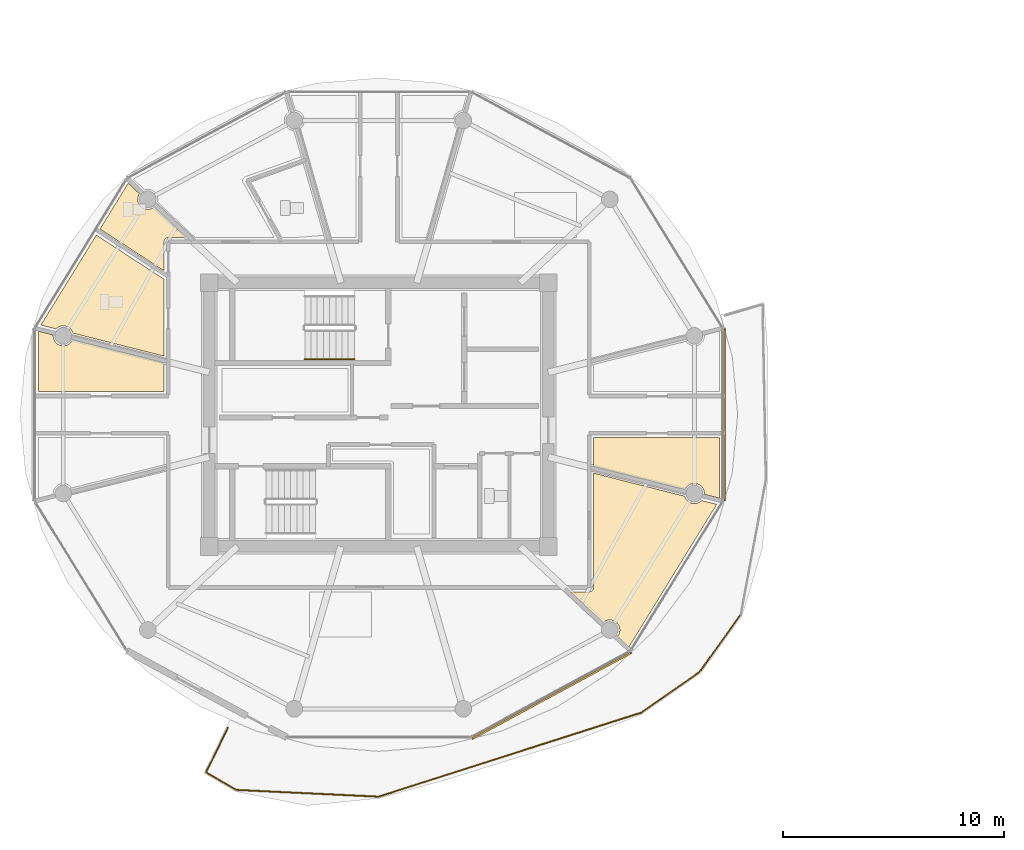
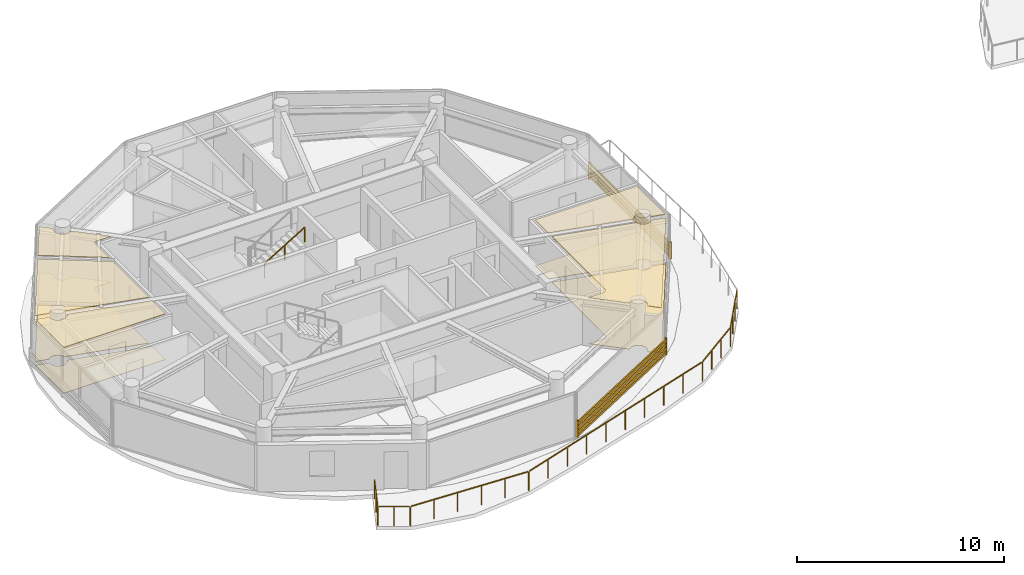
# One storey, part 16 of 21: 10 coverings, 2 railings, 2 shading devices.
"""IFC4 building model written with IfcOpenShell, lengths in metres."""

from ifc_helpers import new_model, si_unit, direction, frame, origin, origin_2d, place, context, subcontext, project, spatial, polyline, rectangle, outline, extrude, source, transform, mapped, material, layer, layer_set, type_object, type_shapes, element, save


model = new_model("IFC4")

# Units and contexts
model_context = context("Model", 3, precision=1e-05, world=origin(), true_north=direction((0.0, 1.0)))
body_context = subcontext(model_context, "Body", "Model", "MODEL_VIEW")
ifc_project = project(units=[si_unit("LENGTHUNIT", "METRE"), si_unit("AREAUNIT", "SQUARE_METRE"), si_unit("VOLUMEUNIT", "CUBIC_METRE"), si_unit("PLANEANGLEUNIT", "RADIAN"), si_unit("MASSUNIT", "GRAM", prefix="KILO")], contexts=[model_context])

# Site, building, storey
site_placement = place(None, origin())
site = spatial("IfcSite", under=ifc_project, at=site_placement, CompositionType="ELEMENT")
building_placement = place(site_placement, origin())
building = spatial("IfcBuilding", under=site, at=building_placement, Name="Norrkilde Senior Care Towers", CompositionType="ELEMENT")
storey_placement = place(building_placement, frame((0.0, 0.0, 241.35009765625)))
storey = spatial("IfcBuildingStorey", under=building, at=storey_placement, Name="L75", CompositionType="ELEMENT", Elevation=241.35009765625)

# Coverings
ifc_material_1 = material(Name="Nordic Ash Timber", Category="wood")
ifc_layer_1 = layer(ifc_material_1, 0.044921875)
ifc_layer_set_1 = layer_set([ifc_layer_1], Name="Nordic Ash Timber")
covering_type_1 = type_object("IfcCoveringType", Name="Acoustic Ash Timber Slatted Ceiling 45", PredefinedType="CEILING", material=ifc_layer_set_1)
covering_1_placement = place(storey_placement, frame((0.0, 0.0, 2.684814453125)))
element("IfcCovering", 1, at=covering_1_placement, inside=storey, type_object=covering_type_1, Name="L75 Suspended Ceiling 0467", PredefinedType="CEILING", context=body_context, shape_type="SweptSolid", body=[
    extrude(outline(polyline([(-37.699951171875, 1.0400390625), (-43.37353515625, 1.0400390625), (-43.37353515625, 3.76708984375), (-42.697509765625, 3.59619140625), (-42.702392578125, 3.558837890625), (-42.68701171875, 3.44091796875), (-42.641357421875, 3.331298828125), (-42.569091796875, 3.237060546875), (-42.474853515625, 3.164794921875), (-42.365234375, 3.119384765625), (-42.247314453125, 3.103759765625), (-42.129638671875, 3.119384765625), (-42.02001953125, 3.164794921875), (-41.92578125, 3.237060546875), (-41.853271484375, 3.331298828125), (-41.834228515625, 3.377685546875), (-37.699951171875, 2.331298828125), (-37.699951171875, 1.0400390625)])), origin(), (0.0, 0.0, 1.0), 0.045166015625),
])
covering_2_placement = place(storey_placement, frame((0.0, 0.0, 2.684814453125)))
element("IfcCovering", 2, at=covering_2_placement, inside=storey, type_object=covering_type_1, Name="L75 Suspended Ceiling 0470", PredefinedType="CEILING", context=body_context, shape_type="SweptSolid", body=[
    extrude(outline(polyline([(-12.62646484375, -3.76708984375), (-13.302490234375, -3.59619140625), (-13.297607421875, -3.558837890625), (-13.31298828125, -3.44091796875), (-13.358642578125, -3.331298828125), (-13.430908203125, -3.237060546875), (-13.525146484375, -3.164794921875), (-13.634765625, -3.119384765625), (-13.752685546875, -3.103759765625), (-13.870361328125, -3.119384765625), (-13.97998046875, -3.164794921875), (-14.07421875, -3.237060546875), (-14.146728515625, -3.331298828125), (-14.165771484375, -3.377685546875), (-18.300048828125, -2.331298828125), (-18.300048828125, -1.0400390625), (-12.62646484375, -1.0400390625), (-12.62646484375, -3.76708984375)])), origin(), (0.0, 0.0, 1.0), 0.045166015625),
])
covering_3_placement = place(storey_placement, frame((0.0, 0.0, 2.684814453125)))
element("IfcCovering", 3, at=covering_3_placement, inside=storey, type_object=covering_type_1, Name="L75 Suspended Ceiling 0478", PredefinedType="CEILING", context=body_context, shape_type="SweptSolid", body=[
    extrude(outline(polyline([(-18.447509765625, -7.992919921875), (-18.436279296875, -7.989501953125), (-18.428955078125, -7.98681640625), (-18.41796875, -7.982421875), (-18.410888671875, -7.97900390625), (-18.400634765625, -7.973388671875), (-18.393798828125, -7.969482421875), (-18.384033203125, -7.962890625), (-18.377685546875, -7.958251953125), (-18.36865234375, -7.95068359375), (-18.36279296875, -7.945556640625), (-18.3544921875, -7.937255859375), (-18.34912109375, -7.931396484375), (-18.341796875, -7.92236328125), (-18.337158203125, -7.916015625), (-18.33056640625, -7.90625), (-18.326416015625, -7.8994140625), (-18.321044921875, -7.888916015625), (-18.317626953125, -7.8818359375), (-18.31298828125, -7.87109375), (-18.310546875, -7.86376953125), (-18.30712890625, -7.852294921875), (-18.30517578125, -7.8447265625), (-18.302734375, -7.833251953125), (-18.3017578125, -7.825439453125), (-18.300537109375, -7.813720703125), (-18.300048828125, -7.805908203125), (-18.300048828125, -7.800048828125), (-18.300048828125, -2.640625), (-14.190185546875, -3.680908203125), (-14.146728515625, -3.786376953125), (-14.07421875, -3.880615234375), (-13.97998046875, -3.952880859375), (-13.870361328125, -3.998291015625), (-13.752685546875, -4.013671875), (-13.634765625, -3.998291015625), (-13.525146484375, -3.952880859375), (-13.430908203125, -3.880615234375), (-13.426025390625, -3.874267578125), (-12.74267578125, -4.04736328125), (-16.71337890625, -10.495849609375), (-17.224365234375, -10.01318359375), (-17.176025390625, -9.9501953125), (-17.130615234375, -9.840576171875), (-17.115234375, -9.72265625), (-17.130615234375, -9.60498046875), (-17.176025390625, -9.4951171875), (-17.24853515625, -9.40087890625), (-17.3427734375, -9.32861328125), (-17.452392578125, -9.283203125), (-17.570068359375, -9.267822265625), (-17.68798828125, -9.283203125), (-17.797607421875, -9.32861328125), (-17.88134765625, -9.392822265625), (-19.355712890625, -8.0), (-18.5, -8.0), (-18.494140625, -7.999755859375), (-18.486328125, -7.99951171875), (-18.474609375, -7.998291015625), (-18.466796875, -7.9970703125), (-18.455322265625, -7.994873046875), (-18.447509765625, -7.992919921875)])), origin(), (0.0, 0.0, 1.0), 0.045166015625),
])

# Railing
ifc_material_2 = material(Name="Anodised Aluminium", Category="aluminium")
railing_type_1 = type_object("IfcRailingType", Name="Balcony Swirl Ribbon Guardrail 1150", PredefinedType="GUARDRAIL", material=ifc_material_2)
railing_1_placement = place(storey_placement, frame((-11.66162109375, -9.029541015625, 0.0)))
element("IfcRailing", 4, at=railing_1_placement, inside=storey, type_object=railing_type_1, Name="L75 Perimeter Safety Guard 03", PredefinedType="GUARDRAIL", context=body_context, shape_type="SweptSolid", body=[
    extrude(rectangle(XDim=0.048095703125, YDim=0.048095703125, at=origin_2d()), frame((0.0, 0.0, 1.1259765625), z_axis=(-0.583745060087, -0.811937007916, 0.0), x_axis=(0.811937007916, -0.583745060087, 0.0)), (0.0, 0.0, 1.0), 3.14306640625),
    extrude(rectangle(XDim=0.048095703125, YDim=0.048095703125, at=origin_2d()), frame((-1.89208984375, -2.608642578125, 1.1259765625), z_axis=(-0.819550350459, -0.573007175402, 0.0), x_axis=(0.573007175402, -0.819550350459, 0.0)), (0.0, 0.0, 1.0), 3.122802734375),
    extrude(rectangle(XDim=0.048095703125, YDim=0.048095703125, at=origin_2d()), frame((-4.523681640625, -4.433837890625, 1.1259765625), z_axis=(-0.952485780833, -0.304583054864, 0.0), x_axis=(0.304583054864, -0.952485780833, 0.0)), (0.0, 0.0, 1.0), 12.37841796875),
    extrude(rectangle(XDim=0.048095703125, YDim=0.048095703125, at=origin_2d()), frame((-16.393798828125, -8.214599609375, 1.1259765625), z_axis=(-0.998874135333, 0.047439032053, 0.0), x_axis=(-0.047439032053, -0.998874135333, 0.0)), (0.0, 0.0, 1.0), 6.3564453125),
    extrude(rectangle(XDim=0.048095703125, YDim=0.048095703125, at=origin_2d()), frame((-22.8193359375, -7.890625, 1.1259765625), z_axis=(-0.864135033226, 0.503260016643, 0.0), x_axis=(-0.503260016643, -0.864135033226, 0.0)), (0.0, 0.0, 1.0), 1.483642578125),
    extrude(rectangle(XDim=0.048095703125, YDim=0.048095703125, at=origin_2d()), frame((-24.118896484375, -7.086669921875, 1.1259765625), z_axis=(0.438696915648, 0.898635085116, 0.0), x_axis=(-0.898635085116, 0.438696915648, 0.0)), (0.0, 0.0, 1.0), 2.2119140625),
    extrude(rectangle(XDim=0.0419921875, YDim=0.0419921875, at=origin_2d()), origin(), (0.0, 0.0, 1.0), 1.099853515625),
    extrude(rectangle(XDim=0.0419921875, YDim=0.0419921875, at=origin_2d()), frame((-0.61962890625, -0.86181640625, 0.0)), (0.0, 0.0, 1.0), 1.099853515625),
    extrude(rectangle(XDim=0.0419921875, YDim=0.0419921875, at=origin_2d()), frame((-1.239013671875, -1.723388671875, 0.0)), (0.0, 0.0, 1.0), 1.099853515625),
    extrude(rectangle(XDim=0.0419921875, YDim=0.0419921875, at=origin_2d()), frame((-1.858642578125, -2.585205078125, 0.0)), (0.0, 0.0, 1.0), 1.099853515625),
    extrude(rectangle(XDim=0.0419921875, YDim=0.0419921875, at=origin_2d()), frame((-2.734130859375, -3.197265625, 0.0)), (0.0, 0.0, 1.0), 1.099853515625),
    extrude(rectangle(XDim=0.0419921875, YDim=0.0419921875, at=origin_2d()), frame((-3.609375, -3.809326171875, 0.0)), (0.0, 0.0, 1.0), 1.099853515625),
    extrude(rectangle(XDim=0.0419921875, YDim=0.0419921875, at=origin_2d()), frame((-4.48486328125, -4.42138671875, 0.0)), (0.0, 0.0, 1.0), 1.099853515625),
    extrude(rectangle(XDim=0.0419921875, YDim=0.0419921875, at=origin_2d()), frame((-5.803466796875, -4.843017578125, 0.0)), (0.0, 0.0, 1.0), 1.099853515625),
    extrude(rectangle(XDim=0.0419921875, YDim=0.0419921875, at=origin_2d()), frame((-7.122314453125, -5.2646484375, 0.0)), (0.0, 0.0, 1.0), 1.099853515625),
    extrude(rectangle(XDim=0.0419921875, YDim=0.0419921875, at=origin_2d()), frame((-8.44091796875, -5.6865234375, 0.0)), (0.0, 0.0, 1.0), 1.099853515625),
    extrude(rectangle(XDim=0.0419921875, YDim=0.0419921875, at=origin_2d()), frame((-9.759521484375, -6.108154296875, 0.0)), (0.0, 0.0, 1.0), 1.099853515625),
    extrude(rectangle(XDim=0.0419921875, YDim=0.0419921875, at=origin_2d()), frame((-11.078369140625, -6.52978515625, 0.0)), (0.0, 0.0, 1.0), 1.099853515625),
    extrude(rectangle(XDim=0.0419921875, YDim=0.0419921875, at=origin_2d()), frame((-12.39697265625, -6.951416015625, 0.0)), (0.0, 0.0, 1.0), 1.099853515625),
    extrude(rectangle(XDim=0.0419921875, YDim=0.0419921875, at=origin_2d()), frame((-13.715576171875, -7.373291015625, 0.0)), (0.0, 0.0, 1.0), 1.099853515625),
    extrude(rectangle(XDim=0.0419921875, YDim=0.0419921875, at=origin_2d()), frame((-15.034423828125, -7.794921875, 0.0)), (0.0, 0.0, 1.0), 1.099853515625),
    extrude(rectangle(XDim=0.0419921875, YDim=0.0419921875, at=origin_2d()), frame((-16.35302734375, -8.216552734375, 0.0)), (0.0, 0.0, 1.0), 1.099853515625),
    extrude(rectangle(XDim=0.0419921875, YDim=0.0419921875, at=origin_2d()), frame((-17.63916015625, -8.155517578125, 0.0)), (0.0, 0.0, 1.0), 1.099853515625),
    extrude(rectangle(XDim=0.0419921875, YDim=0.0419921875, at=origin_2d()), frame((-18.92529296875, -8.094482421875, 0.0)), (0.0, 0.0, 1.0), 1.099853515625),
    extrude(rectangle(XDim=0.0419921875, YDim=0.0419921875, at=origin_2d()), frame((-20.211669921875, -8.033203125, 0.0)), (0.0, 0.0, 1.0), 1.099853515625),
    extrude(rectangle(XDim=0.0419921875, YDim=0.0419921875, at=origin_2d()), frame((-21.497802734375, -7.97216796875, 0.0)), (0.0, 0.0, 1.0), 1.099853515625),
    extrude(rectangle(XDim=0.0419921875, YDim=0.0419921875, at=origin_2d()), frame((-22.783935546875, -7.9111328125, 0.0)), (0.0, 0.0, 1.0), 1.099853515625),
    extrude(rectangle(XDim=0.0419921875, YDim=0.0419921875, at=origin_2d()), frame((-23.46044921875, -7.51708984375, 0.0)), (0.0, 0.0, 1.0), 1.099853515625),
    extrude(rectangle(XDim=0.0419921875, YDim=0.0419921875, at=origin_2d()), frame((-24.13671875, -7.123291015625, 0.0)), (0.0, 0.0, 1.0), 1.099853515625),
    extrude(rectangle(XDim=0.0419921875, YDim=0.0419921875, at=origin_2d()), frame((-23.642578125, -6.111083984375, 0.0)), (0.0, 0.0, 1.0), 1.099853515625),
    extrude(rectangle(XDim=0.0419921875, YDim=0.0419921875, at=origin_2d()), frame((-23.1484375, -5.098876953125, 0.0)), (0.0, 0.0, 1.0), 1.099853515625),
])

# Coverings
ifc_material_3 = material(Name="Gypsum Acoustic Board")
ifc_layer_2 = layer(ifc_material_3, 0.030029296875)
ifc_layer_set_2 = layer_set([ifc_layer_2], Name="Gypsum Acoustic Board")
covering_type_2 = type_object("IfcCoveringType", Name="Medical Cleanable Gypsum Ceiling 30", PredefinedType="CEILING", material=ifc_layer_set_2)
covering_4_placement = place(storey_placement, frame((0.0, 0.0, 2.699951171875)))
element("IfcCovering", 5, at=covering_4_placement, inside=storey, type_object=covering_type_2, Name="L75 Suspended Ceiling 0475", PredefinedType="CEILING", context=body_context, shape_type="SweptSolid", body=[
    extrude(outline(polyline([(-37.525390625, 7.998291015625), (-37.533203125, 7.9970703125), (-37.544677734375, 7.994873046875), (-37.552490234375, 7.992919921875), (-37.563720703125, 7.989501953125), (-37.571044921875, 7.98681640625), (-37.58203125, 7.982421875), (-37.589111328125, 7.97900390625), (-37.599365234375, 7.973388671875), (-37.606201171875, 7.969482421875), (-37.615966796875, 7.962890625), (-37.622314453125, 7.958251953125), (-37.63134765625, 7.95068359375), (-37.63720703125, 7.945556640625), (-37.6455078125, 7.937255859375), (-37.65087890625, 7.931396484375), (-37.658203125, 7.92236328125), (-37.662841796875, 7.916015625), (-37.66943359375, 7.90625), (-37.673583984375, 7.8994140625), (-37.678955078125, 7.888916015625), (-37.682373046875, 7.8818359375), (-37.68701171875, 7.87109375), (-37.689453125, 7.86376953125), (-37.69287109375, 7.852294921875), (-37.69482421875, 7.8447265625), (-37.697265625, 7.833251953125), (-37.6982421875, 7.825439453125), (-37.699462890625, 7.813720703125), (-37.699951171875, 7.805908203125), (-37.699951171875, 7.800048828125), (-37.699951171875, 6.499755859375), (-40.5888671875, 8.380859375), (-39.31591796875, 10.448486328125), (-38.807373046875, 9.9716796875), (-38.823974609375, 9.9501953125), (-38.869384765625, 9.840576171875), (-38.884765625, 9.72265625), (-38.869384765625, 9.60498046875), (-38.823974609375, 9.4951171875), (-38.75146484375, 9.40087890625), (-38.6572265625, 9.32861328125), (-38.547607421875, 9.283203125), (-38.429931640625, 9.267822265625), (-38.31201171875, 9.283203125), (-38.202392578125, 9.32861328125), (-38.158203125, 9.362548828125), (-36.705322265625, 8.0), (-37.5, 8.0), (-37.505859375, 7.999755859375), (-37.513671875, 7.99951171875), (-37.525390625, 7.998291015625)])), origin(), (0.0, 0.0, 1.0), 0.030029296875),
])
covering_5_placement = place(storey_placement, frame((0.0, 0.0, 2.699951171875)))
element("IfcCovering", 6, at=covering_5_placement, inside=storey, type_object=covering_type_2, Name="L75 Suspended Ceiling 0476", PredefinedType="CEILING", context=body_context, shape_type="SweptSolid", body=[
    extrude(outline(polyline([(-40.7568359375, 8.108154296875), (-37.699951171875, 6.117919921875), (-37.699951171875, 2.640625), (-41.809814453125, 3.680908203125), (-41.853271484375, 3.786376953125), (-41.92578125, 3.880615234375), (-42.02001953125, 3.952880859375), (-42.129638671875, 3.998291015625), (-42.247314453125, 4.013671875), (-42.365234375, 3.998291015625), (-42.474853515625, 3.952880859375), (-42.569091796875, 3.880615234375), (-42.573974609375, 3.874267578125), (-43.25732421875, 4.04736328125), (-40.7568359375, 8.108154296875)])), origin(), (0.0, 0.0, 1.0), 0.030029296875),
])
ifc_material_4 = material(Name="Slip-Resistant Porcelain Stone", Category="masonry")
ifc_layer_3 = layer(ifc_material_4, 0.02490234375)
ifc_layer_set_3 = layer_set([ifc_layer_3], Name="Slip-Resistant Porcelain Stone")
covering_type_3 = type_object("IfcCoveringType", Name="Slip-Resistant Porcelain Flooring 25", PredefinedType="FLOORING", material=ifc_layer_set_3)
covering_6_placement = place(storey_placement, origin())
element("IfcCovering", 7, at=covering_6_placement, inside=storey, type_object=covering_type_3, Name="L75 Floor Finish 0467", PredefinedType="FLOORING", context=body_context, shape_type="SweptSolid", body=[
    extrude(outline(polyline([(-37.699951171875, 1.0400390625), (-43.37353515625, 1.0400390625), (-43.37353515625, 3.76708984375), (-42.697509765625, 3.59619140625), (-42.702392578125, 3.558837890625), (-42.68701171875, 3.44091796875), (-42.641357421875, 3.331298828125), (-42.569091796875, 3.237060546875), (-42.474853515625, 3.164794921875), (-42.365234375, 3.119384765625), (-42.247314453125, 3.103759765625), (-42.129638671875, 3.119384765625), (-42.02001953125, 3.164794921875), (-41.92578125, 3.237060546875), (-41.853271484375, 3.331298828125), (-41.834228515625, 3.377685546875), (-37.699951171875, 2.331298828125), (-37.699951171875, 1.0400390625)])), origin(), (0.0, 0.0, 1.0), 0.02490234375),
])
covering_7_placement = place(storey_placement, origin())
element("IfcCovering", 8, at=covering_7_placement, inside=storey, type_object=covering_type_3, Name="L75 Floor Finish 0470", PredefinedType="FLOORING", context=body_context, shape_type="SweptSolid", body=[
    extrude(outline(polyline([(-12.62646484375, -3.76708984375), (-13.302490234375, -3.59619140625), (-13.297607421875, -3.558837890625), (-13.31298828125, -3.44091796875), (-13.358642578125, -3.331298828125), (-13.430908203125, -3.237060546875), (-13.525146484375, -3.164794921875), (-13.634765625, -3.119384765625), (-13.752685546875, -3.103759765625), (-13.870361328125, -3.119384765625), (-13.97998046875, -3.164794921875), (-14.07421875, -3.237060546875), (-14.146728515625, -3.331298828125), (-14.165771484375, -3.377685546875), (-18.300048828125, -2.331298828125), (-18.300048828125, -1.0400390625), (-12.62646484375, -1.0400390625), (-12.62646484375, -3.76708984375)])), origin(), (0.0, 0.0, 1.0), 0.02490234375),
])
covering_8_placement = place(storey_placement, origin())
element("IfcCovering", 9, at=covering_8_placement, inside=storey, type_object=covering_type_3, Name="L75 Floor Finish 0475", PredefinedType="FLOORING", context=body_context, shape_type="SweptSolid", body=[
    extrude(outline(polyline([(-37.525390625, 7.998291015625), (-37.533203125, 7.9970703125), (-37.544677734375, 7.994873046875), (-37.552490234375, 7.992919921875), (-37.563720703125, 7.989501953125), (-37.571044921875, 7.98681640625), (-37.58203125, 7.982421875), (-37.589111328125, 7.97900390625), (-37.599365234375, 7.973388671875), (-37.606201171875, 7.969482421875), (-37.615966796875, 7.962890625), (-37.622314453125, 7.958251953125), (-37.63134765625, 7.95068359375), (-37.63720703125, 7.945556640625), (-37.6455078125, 7.937255859375), (-37.65087890625, 7.931396484375), (-37.658203125, 7.92236328125), (-37.662841796875, 7.916015625), (-37.66943359375, 7.90625), (-37.673583984375, 7.8994140625), (-37.678955078125, 7.888916015625), (-37.682373046875, 7.8818359375), (-37.68701171875, 7.87109375), (-37.689453125, 7.86376953125), (-37.69287109375, 7.852294921875), (-37.69482421875, 7.8447265625), (-37.697265625, 7.833251953125), (-37.6982421875, 7.825439453125), (-37.699462890625, 7.813720703125), (-37.699951171875, 7.805908203125), (-37.699951171875, 7.800048828125), (-37.699951171875, 6.499755859375), (-40.5888671875, 8.380859375), (-39.31591796875, 10.448486328125), (-38.807373046875, 9.9716796875), (-38.823974609375, 9.9501953125), (-38.869384765625, 9.840576171875), (-38.884765625, 9.72265625), (-38.869384765625, 9.60498046875), (-38.823974609375, 9.4951171875), (-38.75146484375, 9.40087890625), (-38.6572265625, 9.32861328125), (-38.547607421875, 9.283203125), (-38.429931640625, 9.267822265625), (-38.31201171875, 9.283203125), (-38.202392578125, 9.32861328125), (-38.158203125, 9.362548828125), (-36.705322265625, 8.0), (-37.5, 8.0), (-37.505859375, 7.999755859375), (-37.513671875, 7.99951171875), (-37.525390625, 7.998291015625)])), origin(), (0.0, 0.0, 1.0), 0.02490234375),
])
covering_9_placement = place(storey_placement, origin())
element("IfcCovering", 10, at=covering_9_placement, inside=storey, type_object=covering_type_3, Name="L75 Floor Finish 0476", PredefinedType="FLOORING", context=body_context, shape_type="SweptSolid", body=[
    extrude(outline(polyline([(-40.7568359375, 8.108154296875), (-37.699951171875, 6.117919921875), (-37.699951171875, 2.640625), (-41.809814453125, 3.680908203125), (-41.853271484375, 3.786376953125), (-41.92578125, 3.880615234375), (-42.02001953125, 3.952880859375), (-42.129638671875, 3.998291015625), (-42.247314453125, 4.013671875), (-42.365234375, 3.998291015625), (-42.474853515625, 3.952880859375), (-42.569091796875, 3.880615234375), (-42.573974609375, 3.874267578125), (-43.25732421875, 4.04736328125), (-40.7568359375, 8.108154296875)])), origin(), (0.0, 0.0, 1.0), 0.02490234375),
])
covering_10_placement = place(storey_placement, origin())
element("IfcCovering", 11, at=covering_10_placement, inside=storey, type_object=covering_type_3, Name="L75 Floor Finish 0478", PredefinedType="FLOORING", context=body_context, shape_type="SweptSolid", body=[
    extrude(outline(polyline([(-18.447509765625, -7.992919921875), (-18.436279296875, -7.989501953125), (-18.428955078125, -7.98681640625), (-18.41796875, -7.982421875), (-18.410888671875, -7.97900390625), (-18.400634765625, -7.973388671875), (-18.393798828125, -7.969482421875), (-18.384033203125, -7.962890625), (-18.377685546875, -7.958251953125), (-18.36865234375, -7.95068359375), (-18.36279296875, -7.945556640625), (-18.3544921875, -7.937255859375), (-18.34912109375, -7.931396484375), (-18.341796875, -7.92236328125), (-18.337158203125, -7.916015625), (-18.33056640625, -7.90625), (-18.326416015625, -7.8994140625), (-18.321044921875, -7.888916015625), (-18.317626953125, -7.8818359375), (-18.31298828125, -7.87109375), (-18.310546875, -7.86376953125), (-18.30712890625, -7.852294921875), (-18.30517578125, -7.8447265625), (-18.302734375, -7.833251953125), (-18.3017578125, -7.825439453125), (-18.300537109375, -7.813720703125), (-18.300048828125, -7.805908203125), (-18.300048828125, -7.800048828125), (-18.300048828125, -2.640625), (-14.190185546875, -3.680908203125), (-14.146728515625, -3.786376953125), (-14.07421875, -3.880615234375), (-13.97998046875, -3.952880859375), (-13.870361328125, -3.998291015625), (-13.752685546875, -4.013671875), (-13.634765625, -3.998291015625), (-13.525146484375, -3.952880859375), (-13.430908203125, -3.880615234375), (-13.426025390625, -3.874267578125), (-12.74267578125, -4.04736328125), (-16.71337890625, -10.495849609375), (-17.224365234375, -10.01318359375), (-17.176025390625, -9.9501953125), (-17.130615234375, -9.840576171875), (-17.115234375, -9.72265625), (-17.130615234375, -9.60498046875), (-17.176025390625, -9.4951171875), (-17.24853515625, -9.40087890625), (-17.3427734375, -9.32861328125), (-17.452392578125, -9.283203125), (-17.570068359375, -9.267822265625), (-17.68798828125, -9.283203125), (-17.797607421875, -9.32861328125), (-17.88134765625, -9.392822265625), (-19.355712890625, -8.0), (-18.5, -8.0), (-18.494140625, -7.999755859375), (-18.486328125, -7.99951171875), (-18.474609375, -7.998291015625), (-18.466796875, -7.9970703125), (-18.455322265625, -7.994873046875), (-18.447509765625, -7.992919921875)])), origin(), (0.0, 0.0, 1.0), 0.02490234375),
])

# Railing
railing_type_2 = type_object("IfcRailingType", Name="Wall and Stair Handrail 900", PredefinedType="HANDRAIL", material=ifc_material_1)
railing_2_placement = place(storey_placement, frame((-31.340087890625, 2.5, 1.6943359375)))
element("IfcRailing", 12, at=railing_2_placement, inside=storey, type_object=railing_type_2, Name="L75 ST-W1 stair handrail 2", PredefinedType="HANDRAIL", context=body_context, shape_type="SweptSolid", body=[
    extrude(rectangle(XDim=0.048095703125, YDim=0.048095703125, at=origin_2d()), frame((0.0, 0.0, 0.8759765625), z_axis=(0.855553338991, 0.0, 0.51771467445), x_axis=(0.0, 1.0, 0.0)), (0.0, 0.0, 1.0), 2.6181640625),
    extrude(rectangle(XDim=0.0419921875, YDim=0.0419921875, at=origin_2d()), origin(), (0.0, 0.0, 1.0), 0.849853515625),
    extrude(rectangle(XDim=0.0419921875, YDim=0.0419921875, at=origin_2d()), frame((1.1201171875, 0.0, 0.677734375)), (0.0, 0.0, 1.0), 0.849853515625),
    extrude(rectangle(XDim=0.0419921875, YDim=0.0419921875, at=origin_2d()), frame((2.239990234375, 0.0, 1.35546875)), (0.0, 0.0, 1.0), 0.849853515625),
])

# Shading devices
ifc_material_5 = material(Name="Architectural Terracotta", Category="masonry")
shading_device_type = type_object("IfcShadingDeviceType", Name="Horizontal Terracotta Baguette Rack", PredefinedType="USERDEFINED", material=ifc_material_5)
shared_shape_1 = source(origin(), body_context, "Body", "SweptSolid", [
    extrude(rectangle(XDim=0.070068359375, YDim=0.110107421875, at=origin_2d()), frame((0.0, 0.090087890625, 0.125), z_axis=(1.0, 0.0, 0.0), x_axis=(0.0, 1.0, 0.0)), (0.0, 0.0, 1.0), 8.197265625),
    extrude(rectangle(XDim=0.070068359375, YDim=0.110107421875, at=origin_2d()), frame((0.0, 0.090087890625, 0.375), z_axis=(1.0, 0.0, 0.0), x_axis=(0.0, 1.0, 0.0)), (0.0, 0.0, 1.0), 8.197265625),
    extrude(rectangle(XDim=0.070068359375, YDim=0.110107421875, at=origin_2d()), frame((0.0, 0.090087890625, 0.625), z_axis=(1.0, 0.0, 0.0), x_axis=(0.0, 1.0, 0.0)), (0.0, 0.0, 1.0), 8.197265625),
    extrude(rectangle(XDim=0.070068359375, YDim=0.110107421875, at=origin_2d()), frame((0.0, 0.090087890625, 0.875), z_axis=(1.0, 0.0, 0.0), x_axis=(0.0, 1.0, 0.0)), (0.0, 0.0, 1.0), 8.197265625),
    extrude(rectangle(XDim=0.050048828125, YDim=0.1552734375, at=origin_2d()), frame((0.02490234375, 0.047607421875, 0.0)), (0.0, 0.0, 1.0), 1.0),
    extrude(rectangle(XDim=0.050048828125, YDim=0.1552734375, at=origin_2d()), frame((8.17236328125, 0.047607421875, 0.0)), (0.0, 0.0, 1.0), 1.0),
])
shading_device_1_placement = place(storey_placement, frame((-16.629638671875, -10.6630859375, 0.079833984375), z_axis=(0.0, 0.0, 1.0), x_axis=(-0.879378127234, -0.476143674053, 0.0)))
element("IfcShadingDevice", 13, at=shading_device_1_placement, inside=storey, type_object=shading_device_type, Name="L75 Drum W Terracotta Baguette Screen 09", ObjectType="BAGUETTE", PredefinedType="USERDEFINED", context=body_context, shape_type="MappedRepresentation", body=[
    mapped(shared_shape_1, transform((0.0, 0.0, 0.0), x_axis=(1.0, 0.0, 0.0), y_axis=(0.0, 1.0, 0.0), z_axis=(0.0, 0.0, 1.0), scale=1.0)),
])
shared_shape_2 = source(origin(), body_context, "Body", "SweptSolid", [
    extrude(rectangle(XDim=0.070068359375, YDim=0.110107421875, at=origin_2d()), frame((0.0, 0.090087890625, 0.125), z_axis=(1.0, 0.0, 0.0), x_axis=(0.0, 1.0, 0.0)), (0.0, 0.0, 1.0), 7.80615234375),
    extrude(rectangle(XDim=0.070068359375, YDim=0.110107421875, at=origin_2d()), frame((0.0, 0.090087890625, 0.375), z_axis=(1.0, 0.0, 0.0), x_axis=(0.0, 1.0, 0.0)), (0.0, 0.0, 1.0), 7.80615234375),
    extrude(rectangle(XDim=0.070068359375, YDim=0.110107421875, at=origin_2d()), frame((0.0, 0.090087890625, 0.625), z_axis=(1.0, 0.0, 0.0), x_axis=(0.0, 1.0, 0.0)), (0.0, 0.0, 1.0), 7.80615234375),
    extrude(rectangle(XDim=0.070068359375, YDim=0.110107421875, at=origin_2d()), frame((0.0, 0.090087890625, 0.875), z_axis=(1.0, 0.0, 0.0), x_axis=(0.0, 1.0, 0.0)), (0.0, 0.0, 1.0), 7.80615234375),
    extrude(rectangle(XDim=0.050048828125, YDim=0.1552734375, at=origin_2d()), frame((0.02490234375, 0.047607421875, 0.0)), (0.0, 0.0, 1.0), 1.0),
    extrude(rectangle(XDim=0.050048828125, YDim=0.1552734375, at=origin_2d()), frame((7.78125, 0.047607421875, 0.0)), (0.0, 0.0, 1.0), 1.0),
])
type_shapes(shading_device_type, [shared_shape_1, shared_shape_2])
shading_device_2_placement = place(storey_placement, frame((-12.468017578125, 3.903076171875, 0.079833984375), z_axis=(0.0, 0.0, 1.0), x_axis=(0.0, -1.0, 0.0)))
element("IfcShadingDevice", 14, at=shading_device_2_placement, inside=storey, type_object=shading_device_type, Name="L75 Drum W Terracotta Baguette Screen 11", ObjectType="BAGUETTE", PredefinedType="USERDEFINED", context=body_context, shape_type="MappedRepresentation", body=[
    mapped(shared_shape_2, transform((0.0, 0.0, 0.0), x_axis=(1.0, 0.0, 0.0), y_axis=(0.0, 1.0, 0.0), z_axis=(0.0, 0.0, 1.0), scale=1.0)),
])

save(model, "model.ifc")
